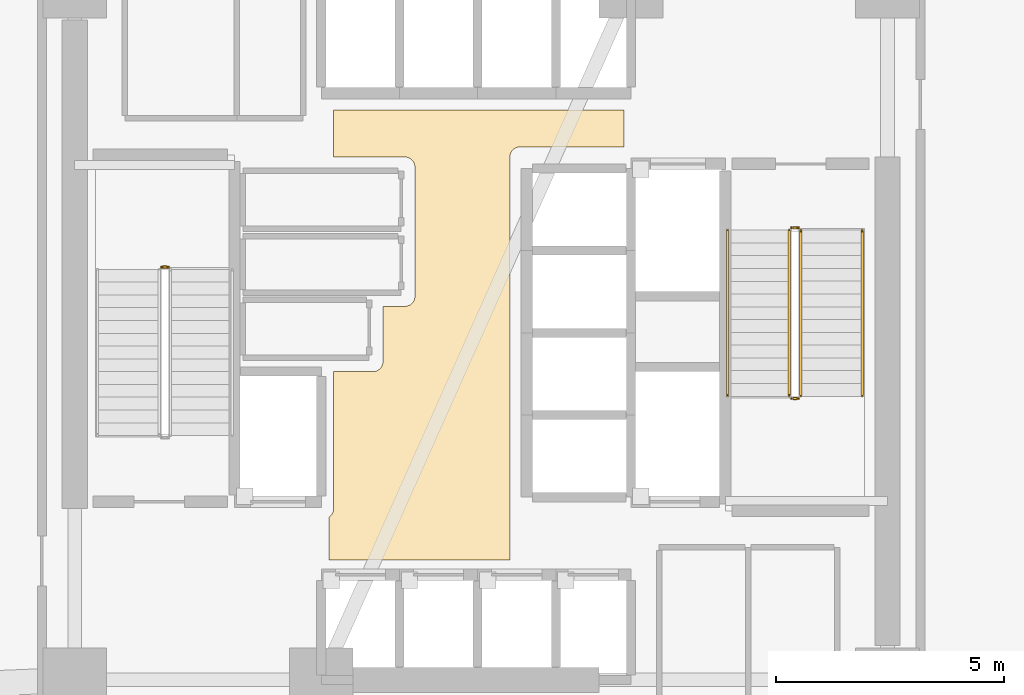
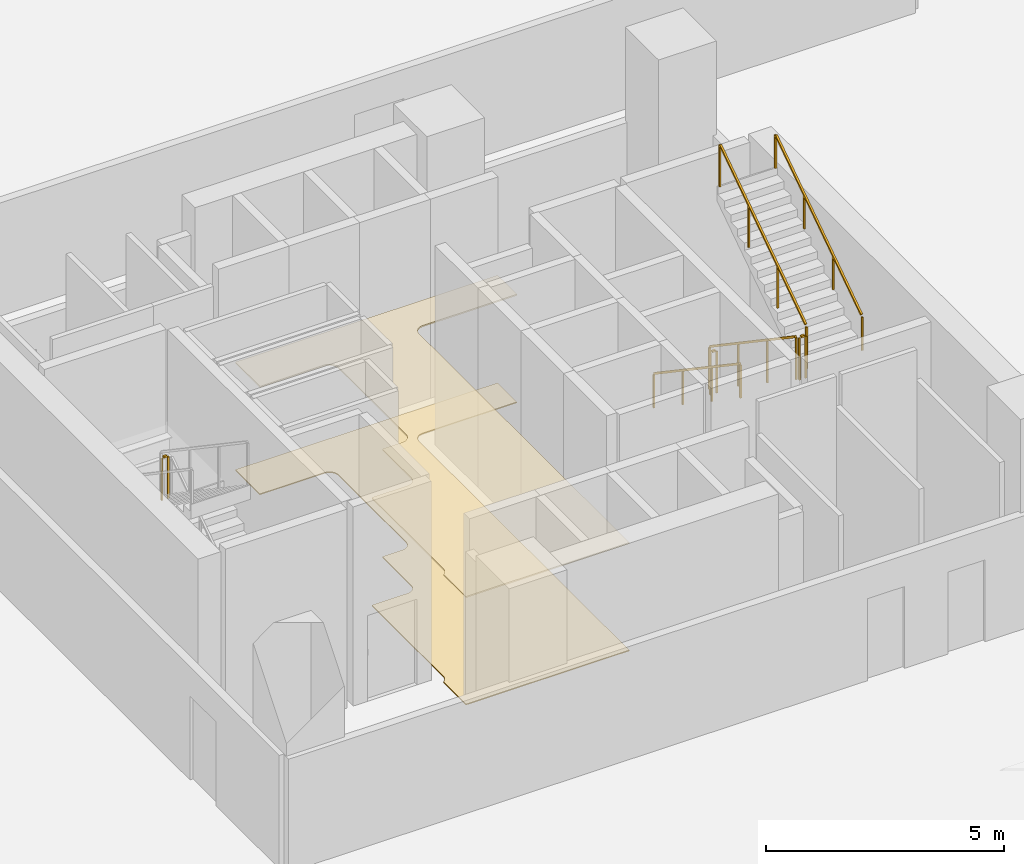
# One storey, part 18 of 19: 7 railings, 2 coverings.
"""IFC4 building model written with IfcOpenShell, lengths in metres."""

from ifc_helpers import new_model, si_unit, direction, frame, origin, origin_2d, place, context, subcontext, project, spatial, polyline, rectangle, outline, extrude, material, layer, layer_set, type_object, element, save


model = new_model("IFC4")

# Units and contexts
model_context = context("Model", 3, precision=1e-05, world=origin(), true_north=direction((0.0, 1.0)))
body_context = subcontext(model_context, "Body", "Model", "MODEL_VIEW")
ifc_project = project(units=[si_unit("LENGTHUNIT", "METRE"), si_unit("AREAUNIT", "SQUARE_METRE"), si_unit("VOLUMEUNIT", "CUBIC_METRE"), si_unit("PLANEANGLEUNIT", "RADIAN"), si_unit("MASSUNIT", "GRAM", prefix="KILO")], contexts=[model_context])

# Site, building, storey
site_placement = place(None, origin())
site = spatial("IfcSite", under=ifc_project, at=site_placement, CompositionType="ELEMENT")
building_placement = place(site_placement, origin())
building = spatial("IfcBuilding", under=site, at=building_placement, Name="Tharavind Bronze Gate", CompositionType="ELEMENT")
storey_placement = place(building_placement, frame((0.0, 0.0, 26.5)))
storey = spatial("IfcBuildingStorey", under=building, at=storey_placement, Name="L05", CompositionType="ELEMENT", Elevation=26.5)

# Coverings
ifc_material_1 = material(Name="Perforated Bronze Acoustic Panel", Category="bronze")
ifc_layer_1 = layer(ifc_material_1, 0.044921875)
ifc_layer_set_1 = layer_set([ifc_layer_1], Name="Perforated Bronze Acoustic Panel")
covering_type_1 = type_object("IfcCoveringType", Name="ACOUSTIC BRONZE BAFFLE CEILING", PredefinedType="CEILING", material=ifc_layer_set_1)
covering_1_placement = place(storey_placement, frame((0.0, 0.0, 2.75)))
element("IfcCovering", 1, at=covering_1_placement, inside=storey, type_object=covering_type_1, Name="L05-C-LL suspended ceiling", PredefinedType="CEILING", context=body_context, shape_type="SweptSolid", body=[
    extrude(outline(polyline([(-3.330078125, -4.97998046875), (0.6298828125, -4.97998046875), (0.6298828125, 3.85009765625), (0.631103515625, 3.87158203125), (0.63427734375, 3.892822265625), (0.639404296875, 3.913818359375), (0.646728515625, 3.93408203125), (0.656005859375, 3.95361328125), (0.6669921875, 3.97216796875), (0.679931640625, 3.989501953125), (0.6943359375, 4.005615234375), (0.71044921875, 4.02001953125), (0.727783203125, 4.032958984375), (0.746337890625, 4.0439453125), (0.765869140625, 4.05322265625), (0.7861328125, 4.060546875), (0.80712890625, 4.06591796875), (0.828369140625, 4.06884765625), (0.85009765625, 4.070068359375), (3.1298828125, 4.070068359375), (3.1298828125, 4.8798828125), (-3.22998046875, 4.8798828125), (-3.22998046875, 3.85009765625), (-1.669921875, 3.85009765625), (-1.6484375, 3.848876953125), (-1.627197265625, 3.845703125), (-1.606201171875, 3.840576171875), (-1.585693359375, 3.833251953125), (-1.56640625, 3.823974609375), (-1.5478515625, 3.81298828125), (-1.530517578125, 3.800048828125), (-1.514404296875, 3.78564453125), (-1.5, 3.76953125), (-1.487060546875, 3.752197265625), (-1.47607421875, 3.733642578125), (-1.466796875, 3.714111328125), (-1.45947265625, 3.69384765625), (-1.4541015625, 3.6728515625), (-1.451171875, 3.651611328125), (-1.449951171875, 3.6298828125), (-1.449951171875, 0.800048828125), (-1.451171875, 0.7783203125), (-1.4541015625, 0.757080078125), (-1.45947265625, 0.736083984375), (-1.466796875, 0.7158203125), (-1.47607421875, 0.6962890625), (-1.487060546875, 0.677734375), (-1.5, 0.660400390625), (-1.514404296875, 0.644287109375), (-1.530517578125, 0.6298828125), (-1.5478515625, 0.6171875), (-1.56640625, 0.60595703125), (-1.585693359375, 0.5966796875), (-1.606201171875, 0.589599609375), (-1.627197265625, 0.584228515625), (-1.6484375, 0.5810546875), (-1.669921875, 0.580078125), (-2.14990234375, 0.580078125), (-2.14990234375, -0.6298828125), (-2.151123046875, -0.651611328125), (-2.154296875, -0.6728515625), (-2.159423828125, -0.69384765625), (-2.166748046875, -0.714111328125), (-2.176025390625, -0.733642578125), (-2.18701171875, -0.752197265625), (-2.199951171875, -0.76953125), (-2.21435546875, -0.78564453125), (-2.23046875, -0.800048828125), (-2.247802734375, -0.81298828125), (-2.266357421875, -0.823974609375), (-2.285888671875, -0.833251953125), (-2.30615234375, -0.840576171875), (-2.3271484375, -0.845703125), (-2.348388671875, -0.848876953125), (-2.3701171875, -0.85009765625), (-3.22998046875, -0.85009765625), (-3.22998046875, -3.85009765625), (-3.231201171875, -3.87158203125), (-3.234130859375, -3.892822265625), (-3.239501953125, -3.913818359375), (-3.24658203125, -3.93408203125), (-3.256103515625, -3.95361328125), (-3.26708984375, -3.97216796875), (-3.27978515625, -3.989501953125), (-3.29443359375, -4.005615234375), (-3.310302734375, -4.02001953125), (-3.327880859375, -4.032958984375), (-3.330078125, -4.0341796875), (-3.330078125, -4.97998046875)])), origin(), (0.0, 0.0, 1.0), 0.034912109375),
])
ifc_material_2 = material(Name="Honed Travertine Limestone", Category="masonry")
ifc_layer_2 = layer(ifc_material_2, 0.030029296875)
ifc_layer_set_2 = layer_set([ifc_layer_2], Name="Honed Travertine Limestone")
covering_type_2 = type_object("IfcCoveringType", Name="HONED LIMESTONE FLOORING", PredefinedType="FLOORING", material=ifc_layer_set_2)
covering_2_placement = place(storey_placement, origin())
element("IfcCovering", 2, at=covering_2_placement, inside=storey, type_object=covering_type_2, Name="L05-C-LL floor finish", PredefinedType="FLOORING", context=body_context, shape_type="SweptSolid", body=[
    extrude(outline(polyline([(-3.330078125, -4.97998046875), (0.6298828125, -4.97998046875), (0.6298828125, 3.85009765625), (0.631103515625, 3.87158203125), (0.63427734375, 3.892822265625), (0.639404296875, 3.913818359375), (0.646728515625, 3.93408203125), (0.656005859375, 3.95361328125), (0.6669921875, 3.97216796875), (0.679931640625, 3.989501953125), (0.6943359375, 4.005615234375), (0.71044921875, 4.02001953125), (0.727783203125, 4.032958984375), (0.746337890625, 4.0439453125), (0.765869140625, 4.05322265625), (0.7861328125, 4.060546875), (0.80712890625, 4.06591796875), (0.828369140625, 4.06884765625), (0.85009765625, 4.070068359375), (3.1298828125, 4.070068359375), (3.1298828125, 4.8798828125), (-3.22998046875, 4.8798828125), (-3.22998046875, 3.85009765625), (-1.669921875, 3.85009765625), (-1.6484375, 3.848876953125), (-1.627197265625, 3.845703125), (-1.606201171875, 3.840576171875), (-1.585693359375, 3.833251953125), (-1.56640625, 3.823974609375), (-1.5478515625, 3.81298828125), (-1.530517578125, 3.800048828125), (-1.514404296875, 3.78564453125), (-1.5, 3.76953125), (-1.487060546875, 3.752197265625), (-1.47607421875, 3.733642578125), (-1.466796875, 3.714111328125), (-1.45947265625, 3.69384765625), (-1.4541015625, 3.6728515625), (-1.451171875, 3.651611328125), (-1.449951171875, 3.6298828125), (-1.449951171875, 0.800048828125), (-1.451171875, 0.7783203125), (-1.4541015625, 0.757080078125), (-1.45947265625, 0.736083984375), (-1.466796875, 0.7158203125), (-1.47607421875, 0.6962890625), (-1.487060546875, 0.677734375), (-1.5, 0.660400390625), (-1.514404296875, 0.644287109375), (-1.530517578125, 0.6298828125), (-1.5478515625, 0.6171875), (-1.56640625, 0.60595703125), (-1.585693359375, 0.5966796875), (-1.606201171875, 0.589599609375), (-1.627197265625, 0.584228515625), (-1.6484375, 0.5810546875), (-1.669921875, 0.580078125), (-2.14990234375, 0.580078125), (-2.14990234375, -0.6298828125), (-2.151123046875, -0.651611328125), (-2.154296875, -0.6728515625), (-2.159423828125, -0.69384765625), (-2.166748046875, -0.714111328125), (-2.176025390625, -0.733642578125), (-2.18701171875, -0.752197265625), (-2.199951171875, -0.76953125), (-2.21435546875, -0.78564453125), (-2.23046875, -0.800048828125), (-2.247802734375, -0.81298828125), (-2.266357421875, -0.823974609375), (-2.285888671875, -0.833251953125), (-2.30615234375, -0.840576171875), (-2.3271484375, -0.845703125), (-2.348388671875, -0.848876953125), (-2.3701171875, -0.85009765625), (-3.22998046875, -0.85009765625), (-3.22998046875, -3.85009765625), (-3.231201171875, -3.87158203125), (-3.234130859375, -3.892822265625), (-3.239501953125, -3.913818359375), (-3.24658203125, -3.93408203125), (-3.256103515625, -3.95361328125), (-3.26708984375, -3.97216796875), (-3.27978515625, -3.989501953125), (-3.29443359375, -4.005615234375), (-3.310302734375, -4.02001953125), (-3.327880859375, -4.032958984375), (-3.330078125, -4.0341796875), (-3.330078125, -4.97998046875)])), origin(), (0.0, 0.0, 1.0), 0.02490234375),
])

# Railings
ifc_material_3 = material(Name="Brushed Bronze Alloy", Category="metal")
railing_type_1 = type_object("IfcRailingType", Name="STAIR BRONZE HANDRAIL 900", PredefinedType="HANDRAIL", material=ifc_material_3)
railing_1_placement = place(storey_placement, frame((5.39990234375, 2.25, 0.189208984375)))
element("IfcRailing", 3, at=railing_1_placement, inside=storey, type_object=railing_type_1, Name="L05 ST2 stair handrail 1", PredefinedType="HANDRAIL", context=body_context, shape_type="SweptSolid", body=[
    extrude(rectangle(XDim=0.048095703125, YDim=0.048095703125, at=origin_2d()), frame((0.0, -0.026611328125, 0.893798828125), z_axis=(0.0, -0.828451000957, 0.560061549309), x_axis=(1.0, 0.0, 0.0)), (0.0, 0.0, 1.0), 4.32958984375),
    extrude(rectangle(XDim=0.0400390625, YDim=0.0400390625, at=origin_2d()), origin(), (0.0, 0.0, 1.0), 0.847900390625),
    extrude(rectangle(XDim=0.0400390625, YDim=0.0400390625, at=origin_2d()), frame((0.0, -1.21337890625, 0.8203125)), (0.0, 0.0, 1.0), 0.847900390625),
    extrude(rectangle(XDim=0.0400390625, YDim=0.0400390625, at=origin_2d()), frame((0.0, -2.426513671875, 1.640380859375)), (0.0, 0.0, 1.0), 0.847900390625),
    extrude(rectangle(XDim=0.0400390625, YDim=0.0400390625, at=origin_2d()), frame((0.0, -3.639892578125, 2.460693359375)), (0.0, 0.0, 1.0), 0.847900390625),
])
railing_2_placement = place(storey_placement, frame((8.35009765625, -1.389892578125, 2.83935546875)))
element("IfcRailing", 4, at=railing_2_placement, inside=storey, type_object=railing_type_1, Name="L05 ST2 stair handrail 2", PredefinedType="HANDRAIL", context=body_context, shape_type="SweptSolid", body=[
    extrude(rectangle(XDim=0.048095703125, YDim=0.048095703125, at=origin_2d()), frame((0.0, 0.026611328125, 0.893798828125), z_axis=(0.0, 0.828451000957, 0.560061549309), x_axis=(-1.0, 0.0, 0.0)), (0.0, 0.0, 1.0), 4.32958984375),
    extrude(rectangle(XDim=0.0400390625, YDim=0.0400390625, at=origin_2d()), origin(), (0.0, 0.0, 1.0), 0.847900390625),
    extrude(rectangle(XDim=0.0400390625, YDim=0.0400390625, at=origin_2d()), frame((0.0, 1.21337890625, 0.8203125)), (0.0, 0.0, 1.0), 0.847900390625),
    extrude(rectangle(XDim=0.0400390625, YDim=0.0400390625, at=origin_2d()), frame((0.0, 2.426513671875, 1.640380859375)), (0.0, 0.0, 1.0), 0.847900390625),
    extrude(rectangle(XDim=0.0400390625, YDim=0.0400390625, at=origin_2d()), frame((0.0, 3.639892578125, 2.460693359375)), (0.0, 0.0, 1.0), 0.847900390625),
])
railing_type_2 = type_object("IfcRailingType", Name="STAIR WELL GUARD RAILING 1120", PredefinedType="GUARDRAIL", material=ifc_material_3)
railing_3_placement = place(storey_placement, frame((-6.85009765625, 1.43994140625, 2.64990234375)))
element("IfcRailing", 5, at=railing_3_placement, inside=storey, type_object=railing_type_2, Name="L05 ST1 stair guard 2", PredefinedType="GUARDRAIL", context=body_context, shape_type="SweptSolid", body=[
    extrude(rectangle(XDim=0.048095703125, YDim=0.048095703125, at=origin_2d()), frame((-0.031982421875, 0.0, 1.09619140625), z_axis=(-1.0, 0.0, 0.0), x_axis=(0.0, -1.0, 0.0)), (0.0, 0.0, 1.0), 0.0859375),
    extrude(rectangle(XDim=0.0400390625, YDim=0.0400390625, at=origin_2d()), origin(), (0.0, 0.0, 1.0), 1.068115234375),
    extrude(rectangle(XDim=0.0400390625, YDim=0.0400390625, at=origin_2d()), frame((-0.14990234375, 0.0, 0.0)), (0.0, 0.0, 1.0), 1.068115234375),
])
railing_4_placement = place(storey_placement, frame((6.75, 2.25, 0.189208984375)))
element("IfcRailing", 6, at=railing_4_placement, inside=storey, type_object=railing_type_2, Name="L05 ST2 stair guard 1", PredefinedType="GUARDRAIL", context=body_context, shape_type="SweptSolid", body=[
    extrude(rectangle(XDim=0.048095703125, YDim=0.048095703125, at=origin_2d()), frame((0.0, -0.026611328125, 1.114013671875), z_axis=(0.0, -0.828451000957, 0.560061549309), x_axis=(1.0, 0.0, 0.0)), (0.0, 0.0, 1.0), 4.32958984375),
    extrude(rectangle(XDim=0.0400390625, YDim=0.0400390625, at=origin_2d()), origin(), (0.0, 0.0, 1.0), 1.068115234375),
    extrude(rectangle(XDim=0.0400390625, YDim=0.0400390625, at=origin_2d()), frame((0.0, -1.21337890625, 0.8203125)), (0.0, 0.0, 1.0), 1.068115234375),
    extrude(rectangle(XDim=0.0400390625, YDim=0.0400390625, at=origin_2d()), frame((0.0, -2.426513671875, 1.640380859375)), (0.0, 0.0, 1.0), 1.068115234375),
    extrude(rectangle(XDim=0.0400390625, YDim=0.0400390625, at=origin_2d()), frame((0.0, -3.639892578125, 2.460693359375)), (0.0, 0.0, 1.0), 1.068115234375),
])
railing_5_placement = place(storey_placement, frame((6.800048828125, -1.43994140625, 2.64990234375)))
element("IfcRailing", 7, at=railing_5_placement, inside=storey, type_object=railing_type_2, Name="L05 ST2 stair guard 2", PredefinedType="GUARDRAIL", context=body_context, shape_type="SweptSolid", body=[
    extrude(rectangle(XDim=0.048095703125, YDim=0.048095703125, at=origin_2d()), frame((0.031982421875, 0.0, 1.09619140625), z_axis=(1.0, 0.0, 0.0), x_axis=(0.0, 1.0, 0.0)), (0.0, 0.0, 1.0), 0.0859375),
    extrude(rectangle(XDim=0.0400390625, YDim=0.0400390625, at=origin_2d()), origin(), (0.0, 0.0, 1.0), 1.068115234375),
    extrude(rectangle(XDim=0.0400390625, YDim=0.0400390625, at=origin_2d()), frame((0.14990234375, 0.0, 0.0)), (0.0, 0.0, 1.0), 1.068115234375),
])
railing_6_placement = place(storey_placement, frame((7.0, -1.389892578125, 2.83935546875)))
element("IfcRailing", 8, at=railing_6_placement, inside=storey, type_object=railing_type_2, Name="L05 ST2 stair guard 3", PredefinedType="GUARDRAIL", context=body_context, shape_type="SweptSolid", body=[
    extrude(rectangle(XDim=0.048095703125, YDim=0.048095703125, at=origin_2d()), frame((0.0, 0.026611328125, 1.114013671875), z_axis=(0.0, 0.828451000957, 0.560061549309), x_axis=(-1.0, 0.0, 0.0)), (0.0, 0.0, 1.0), 4.32958984375),
    extrude(rectangle(XDim=0.0400390625, YDim=0.0400390625, at=origin_2d()), origin(), (0.0, 0.0, 1.0), 1.068115234375),
    extrude(rectangle(XDim=0.0400390625, YDim=0.0400390625, at=origin_2d()), frame((0.0, 1.21337890625, 0.8203125)), (0.0, 0.0, 1.0), 1.068115234375),
    extrude(rectangle(XDim=0.0400390625, YDim=0.0400390625, at=origin_2d()), frame((0.0, 2.426513671875, 1.640380859375)), (0.0, 0.0, 1.0), 1.068115234375),
    extrude(rectangle(XDim=0.0400390625, YDim=0.0400390625, at=origin_2d()), frame((0.0, 3.639892578125, 2.460693359375)), (0.0, 0.0, 1.0), 1.068115234375),
])
railing_7_placement = place(storey_placement, frame((6.800048828125, 2.300048828125, 0.0)))
element("IfcRailing", 9, at=railing_7_placement, inside=storey, type_object=railing_type_2, Name="L05 ST2 stair guard 4", PredefinedType="GUARDRAIL", context=body_context, shape_type="SweptSolid", body=[
    extrude(rectangle(XDim=0.048095703125, YDim=0.048095703125, at=origin_2d()), frame((0.031982421875, 0.0, 1.09619140625), z_axis=(1.0, 0.0, 0.0), x_axis=(0.0, 1.0, 0.0)), (0.0, 0.0, 1.0), 0.0859375),
    extrude(rectangle(XDim=0.0400390625, YDim=0.0400390625, at=origin_2d()), origin(), (0.0, 0.0, 1.0), 1.068115234375),
    extrude(rectangle(XDim=0.0400390625, YDim=0.0400390625, at=origin_2d()), frame((0.14990234375, 0.0, 0.0)), (0.0, 0.0, 1.0), 1.068115234375),
])

save(model, "model.ifc")
